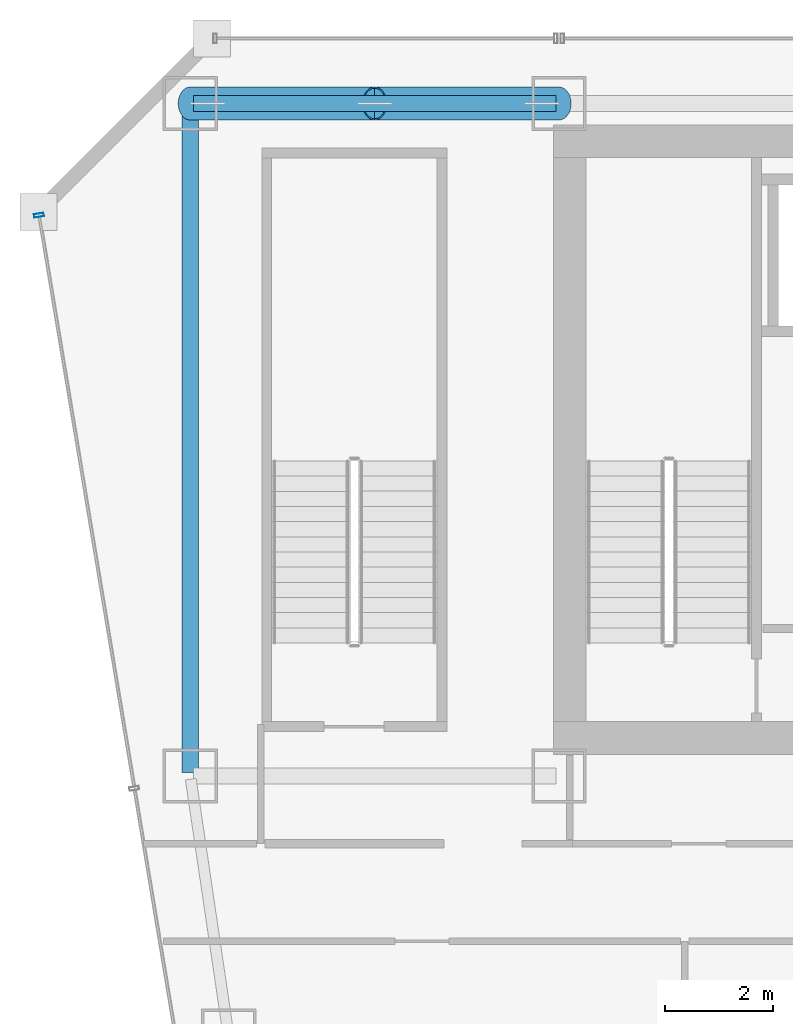
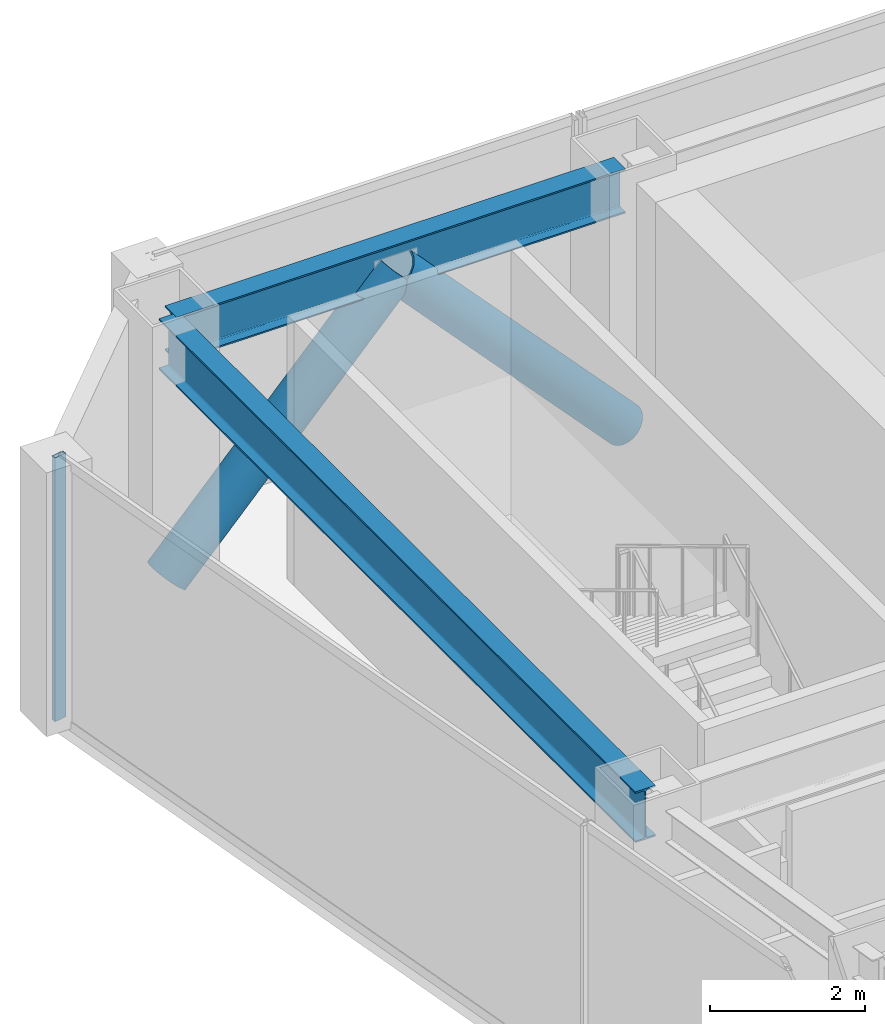
# One storey, part 21 of 37: 3 members, 2 beams, 1 element without a shape of its own.
"""IFC4 building model written with IfcOpenShell, lengths in metres."""

from ifc_helpers import new_model, si_unit, direction, frame, origin, origin_2d, place, context, subcontext, project, spatial, hollow_rectangle, hollow_circle, i_section, extrude, material, material_profile, profile_set, type_object, element, aggregate, save


model = new_model("IFC4")

# Units and contexts
model_context = context("Model", 3, precision=1e-05, world=origin(), true_north=direction((0.0, 1.0)))
body_context = subcontext(model_context, "Body", "Model", "MODEL_VIEW")
ifc_project = project(units=[si_unit("LENGTHUNIT", "METRE"), si_unit("AREAUNIT", "SQUARE_METRE"), si_unit("VOLUMEUNIT", "CUBIC_METRE"), si_unit("PLANEANGLEUNIT", "RADIAN"), si_unit("MASSUNIT", "GRAM", prefix="KILO")], contexts=[model_context])

# Site, building, storey
site_placement = place(None, origin())
site = spatial("IfcSite", under=ifc_project, at=site_placement, CompositionType="ELEMENT")
building_placement = place(site_placement, origin())
building = spatial("IfcBuilding", under=site, at=building_placement, Name="Saevonmaru Cultural Tower", CompositionType="ELEMENT")
storey_placement = place(building_placement, frame((0.0, 0.0, 110.39990234375)))
storey = spatial("IfcBuildingStorey", under=building, at=storey_placement, Name="L23", CompositionType="ELEMENT", Elevation=110.39990234375)

# Beams
ifc_material_1 = material(Name="Steel SM420", Category="steel")
ifc_material_profile_1 = material_profile(ifc_material_1, i_section(OverallWidth=0.300048828125, OverallDepth=0.800048828125, WebThickness=0.013916015625, FlangeThickness=0.02587890625, FilletRadius=0.028076171875, at=origin_2d()), Name="H-800x300x14x26")
ifc_profile_set_1 = profile_set([ifc_material_profile_1], Name="Steel SM420")
beam_type_1 = type_object("IfcBeamType", Name="BM-G-H800", PredefinedType="BEAM", material=ifc_profile_set_1)
beam_1_placement = place(storey_placement, frame((6.800048828125, 54.739990234375, 3.75), z_axis=(0.0, -1.0, 0.0), x_axis=(1.0, 0.0, 0.0)))
element("IfcBeam", 1, at=beam_1_placement, inside=storey, type_object=beam_type_1, Name="L23 Spine Transverse Girder W", PredefinedType="BEAM", context=body_context, shape_type="SweptSolid", body=[
    extrude(i_section(OverallWidth=0.300048828125, OverallDepth=0.800048828125, WebThickness=0.013916015625, FlangeThickness=0.02587890625, FilletRadius=0.028076171875, at=origin_2d()), origin(), (0.0, 0.0, 1.0), 12.280029296875),
])
ifc_material_2 = material(Name="Steel SM355", Category="steel")
ifc_material_profile_2 = material_profile(ifc_material_2, i_section(OverallWidth=0.300048828125, OverallDepth=0.699951171875, WebThickness=0.012939453125, FlangeThickness=0.02392578125, FilletRadius=0.02587890625, at=origin_2d()), Name="H-700x300x13x24")
ifc_profile_set_2 = profile_set([ifc_material_profile_2], Name="Steel SM355")
beam_type_2 = type_object("IfcBeamType", Name="BM-SP-H700", PredefinedType="SPANDREL", material=ifc_profile_set_2)
beam_2_placement = place(storey_placement, frame((6.860107421875, 54.800048828125, 3.800048828125), z_axis=(1.0, 0.0, 0.0), x_axis=(0.0, 1.0, 0.0)))
element("IfcBeam", 2, at=beam_2_placement, inside=storey, type_object=beam_type_2, Name="L23 North Spine Girder 1", PredefinedType="SPANDREL", context=body_context, shape_type="SweptSolid", body=[
    extrude(i_section(OverallWidth=0.300048828125, OverallDepth=0.699951171875, WebThickness=0.012939453125, FlangeThickness=0.02392578125, FilletRadius=0.02587890625, at=origin_2d()), origin(), (0.0, 0.0, 1.0), 6.679931640625),
])

# Members
ifc_material_3 = material(Name="Steel HSA600 (600 MPa)", Category="steel")
ifc_material_profile_3 = material_profile(ifc_material_3, hollow_circle(Radius=0.3046875, WallThickness=0.02490234375, at=origin_2d()), Name="CHS-609.6x25")
ifc_profile_set_3 = profile_set([ifc_material_profile_3], Name="Steel HSA600 (600 MPa)")
member_type_1 = type_object("IfcMemberType", Name="MB-PBR-CHS610", PredefinedType="BRACE", material=ifc_profile_set_3)
member_1_placement = place(storey_placement, frame((6.800048828125, 54.800048828125, 0.02001953125), z_axis=(0.681578526789, 0.0, 0.731744977311), x_axis=(0.0, 1.0, 0.0)))
element("IfcMember", 3, at=member_1_placement, inside=storey, type_object=member_type_1, Name="L23 Perimeter Braced-Tube Diagonal WN1", PredefinedType="BRACE", context=body_context, shape_type="SweptSolid", body=[
    extrude(hollow_circle(Radius=0.3046875, WallThickness=0.02490234375, at=origin_2d()), origin(), (0.0, 0.0, 1.0), 4.98828125),
])
member_2_placement = place(storey_placement, frame((13.60009765625, 54.800048828125, 0.02001953125), z_axis=(-0.681604731977, 0.0, 0.731720567803), x_axis=(0.0, -1.0, 0.0)))
element("IfcMember", 4, at=member_2_placement, inside=storey, type_object=member_type_1, Name="L23 Perimeter Braced-Tube Diagonal WN2", PredefinedType="BRACE", context=body_context, shape_type="SweptSolid", body=[
    extrude(hollow_circle(Radius=0.3046875, WallThickness=0.02490234375, at=origin_2d()), origin(), (0.0, 0.0, 1.0), 4.988525390625),
])

# Curtain wall, member
ifc_material_4 = material(Name="Satin Bronze Anodised Aluminium", Category="aluminium")
curtain_wall_type = type_object("IfcCurtainWallType", Name="CW-TYP-A", PredefinedType="NOTDEFINED", material=ifc_material_4)
curtain_wall_placement = place(storey_placement, origin())
curtain_wall = element("IfcCurtainWall", 5, at=curtain_wall_placement, inside=storey, type_object=curtain_wall_type, Name="L23 Unitised Curtain Wall E12", PredefinedType="NOTDEFINED")
ifc_material_profile_4 = material_profile(ifc_material_4, hollow_rectangle(XDim=0.06494140625, YDim=0.179931640625, WallThickness=0.00390625, at=origin_2d()), Name="ALU-MULL-180x65x4")
ifc_profile_set_4 = profile_set([ifc_material_profile_4], Name="Satin Bronze Anodised Aluminium")
member_type_2 = type_object("IfcMemberType", Name="ML-CW-180x65", PredefinedType="MULLION", material=ifc_profile_set_4)
member_3_placement = place(storey_placement, frame((4.009765625, 52.74072265625, 0.0), z_axis=(0.0, 0.0, 1.0), x_axis=(0.163998702345, -0.986460554523, 0.0)))
member_3 = element("IfcMember", 6, at=member_3_placement, type_object=member_type_2, Name="CW-TW-L23-E12 mullion 1", PredefinedType="MULLION", context=body_context, shape_type="SweptSolid", body=[
    extrude(hollow_rectangle(XDim=0.06494140625, YDim=0.179931640625, WallThickness=0.00390625, at=origin_2d()), origin(), (0.0, 0.0, 1.0), 4.150146484375),
])
aggregate(curtain_wall, [member_3])

save(model, "model.ifc")
